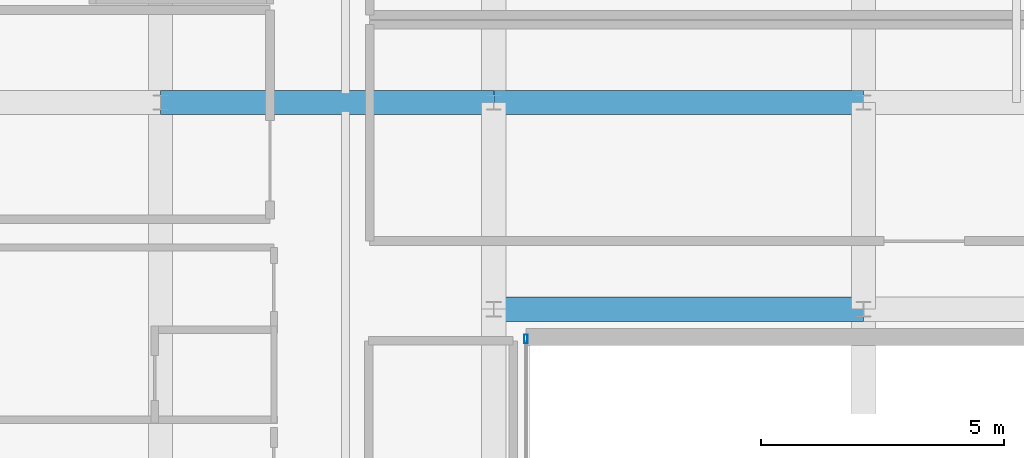
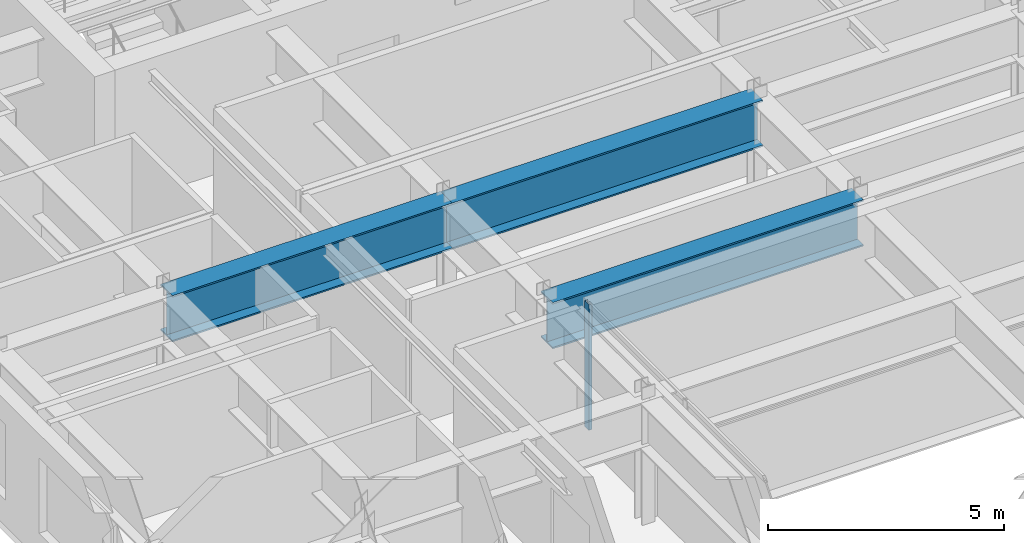
# One storey, part 12 of 21: 3 beams, 1 member, 1 element without a shape of its own.
"""IFC4 building model written with IfcOpenShell, lengths in metres."""

from ifc_helpers import new_model, si_unit, direction, frame, origin, origin_2d, place, context, subcontext, project, spatial, hollow_rectangle, i_section, extrude, source, transform, mapped, material, layer, layer_set, material_profile, profile_set, type_object, type_shapes, element, aggregate, save


model = new_model("IFC4")

# Units and contexts
model_context = context("Model", 3, precision=1e-05, world=origin(), true_north=direction((0.0, 1.0)))
body_context = subcontext(model_context, "Body", "Model", "MODEL_VIEW")
ifc_project = project(units=[si_unit("LENGTHUNIT", "METRE"), si_unit("AREAUNIT", "SQUARE_METRE"), si_unit("VOLUMEUNIT", "CUBIC_METRE"), si_unit("PLANEANGLEUNIT", "RADIAN"), si_unit("MASSUNIT", "GRAM", prefix="KILO")], contexts=[model_context])

# Site, building, storey
site_placement = place(None, origin())
site = spatial("IfcSite", under=ifc_project, at=site_placement, CompositionType="ELEMENT")
building_placement = place(site_placement, origin())
building = spatial("IfcBuilding", under=site, at=building_placement, Name="Tolvann Quenvar Hotel", CompositionType="ELEMENT")
storey_placement = place(building_placement, frame((0.0, 0.0, 266.5)))
storey = spatial("IfcBuildingStorey", under=building, at=storey_placement, Name="L71", CompositionType="ELEMENT", Elevation=266.5)

# Beams
ifc_material_1 = material(Name="Steel Grade 350", Category="steel")
ifc_material_profile_1 = material_profile(ifc_material_1, i_section(OverallWidth=0.5, OverallDepth=1.199951171875, WebThickness=0.01611328125, FlangeThickness=0.0400390625, at=origin_2d()), Name="1200WB455")
ifc_profile_set_1 = profile_set([ifc_material_profile_1], Name="Steel Grade 350")
beam_type = type_object("IfcBeamType", Name="BM_TG_1200WB455", PredefinedType="USERDEFINED", material=ifc_profile_set_1)
shared_shape_1 = source(origin(), body_context, "Body", "SweptSolid", [
    extrude(i_section(OverallWidth=0.5, OverallDepth=1.199951171875, WebThickness=0.01611328125, FlangeThickness=0.0400390625, at=origin_2d()), origin(), (0.0, 0.0, 1.0), 6.849853515625),
])
beam_placement = place(storey_placement, frame((7.60009765625, 24.39990234375, 2.64990234375), z_axis=(1.0, 0.0, 0.0), x_axis=(0.0, 1.0, 0.0)))
element("IfcBeam", 1, at=beam_placement, inside=storey, type_object=beam_type, Name="BM-L71-EW-5-C5-D5", ObjectType="TRANSFER GIRDER", PredefinedType="USERDEFINED", context=body_context, shape_type="MappedRepresentation", body=[
    mapped(shared_shape_1, transform((0.0, 0.0, 0.0), x_axis=(1.0, 0.0, 0.0), y_axis=(0.0, 1.0, 0.0), z_axis=(0.0, 0.0, 1.0), scale=1.0)),
])
shared_shape_2 = source(origin(), body_context, "Body", "SweptSolid", [
    extrude(i_section(OverallWidth=0.5, OverallDepth=1.199951171875, WebThickness=0.01611328125, FlangeThickness=0.0400390625, at=origin_2d()), origin(), (0.0, 0.0, 1.0), 7.60009765625),
])
type_shapes(beam_type, [shared_shape_1, shared_shape_2])
for number, where, z_axis, x_axis, name in (
    (2, (14.449951171875, 20.14990234375, 2.64990234375), (1.0, 0.0, 0.0), (0.0, 1.0, 0.0), "BM-L71-EW-4P-D4P-E4P"),
    (3, (14.449951171875, 24.39990234375, 2.64990234375), (1.0, 0.0, 0.0), (0.0, 1.0, 0.0), "BM-L71-EW-5-D5-E5"),
):
    element("IfcBeam", number, at=place(storey_placement, frame(where, z_axis=z_axis, x_axis=x_axis)), inside=storey, type_object=beam_type, Name=name, ObjectType="TRANSFER GIRDER", PredefinedType="USERDEFINED", context=body_context, shape_type="MappedRepresentation", body=[
        mapped(shared_shape_2, transform((0.0, 0.0, 0.0), x_axis=(1.0, 0.0, 0.0), y_axis=(0.0, 1.0, 0.0), z_axis=(0.0, 0.0, 1.0), scale=1.0)),
    ])

# Curtain wall, member
ifc_material_2 = material(Name="Thermally broken anodised architectural aluminium 6063-T6 and laminated low-E glass", Category="aluminium")
ifc_layer = layer(ifc_material_2, 0.179931640625)
ifc_layer_set = layer_set([ifc_layer], Name="Thermally broken anodised architectural aluminium 6063-T6 and laminated low-E glass")
curtain_wall_type = type_object("IfcCurtainWallType", Name="CW_SYS_PORTAL_05", PredefinedType="USERDEFINED", material=ifc_layer_set)
curtain_wall_placement = place(storey_placement, origin())
curtain_wall = element("IfcCurtainWall", 4, at=curtain_wall_placement, inside=storey, type_object=curtain_wall_type, Name="Curtain Wall CW-PORTAL-05 (CWR-L71-E05)", ObjectType="UNITISED CURTAIN WALL", PredefinedType="USERDEFINED")
ifc_material_3 = material(Name="Anodised architectural aluminium 6063-T6 framing", Category="aluminium")
ifc_material_profile_2 = material_profile(ifc_material_3, hollow_rectangle(XDim=0.070068359375, YDim=0.179931640625, WallThickness=0.00390625, at=origin_2d()), Name="180x70x4RHS")
ifc_profile_set_2 = profile_set([ifc_material_profile_2], Name="Anodised architectural aluminium 6063-T6 framing")
member_type = type_object("IfcMemberType", Name="CW_MULL_180x70", PredefinedType="MULLION", material=ifc_profile_set_2)
shared_shape_3 = source(origin(), body_context, "Body", "SweptSolid", [
    extrude(hollow_rectangle(XDim=0.070068359375, YDim=0.179931640625, WallThickness=0.00390625, at=origin_2d()), origin(), (0.0, 0.0, 1.0), 3.25),
])
type_shapes(member_type, [shared_shape_3])
member_placement = place(storey_placement, frame((15.110107421875, 19.5400390625, 0.0), z_axis=(0.0, 0.0, 1.0), x_axis=(-1.0, 0.0, 0.0)))
member = element("IfcMember", 5, at=member_placement, type_object=member_type, Name="CW-PORTAL-05 mullion 5", PredefinedType="MULLION", context=body_context, shape_type="MappedRepresentation", body=[
    mapped(shared_shape_3, transform((0.0, 0.0, 0.0), x_axis=(1.0, 0.0, 0.0), y_axis=(0.0, 1.0, 0.0), z_axis=(0.0, 0.0, 1.0), scale=1.0)),
])
aggregate(curtain_wall, [member])

save(model, "model.ifc")
